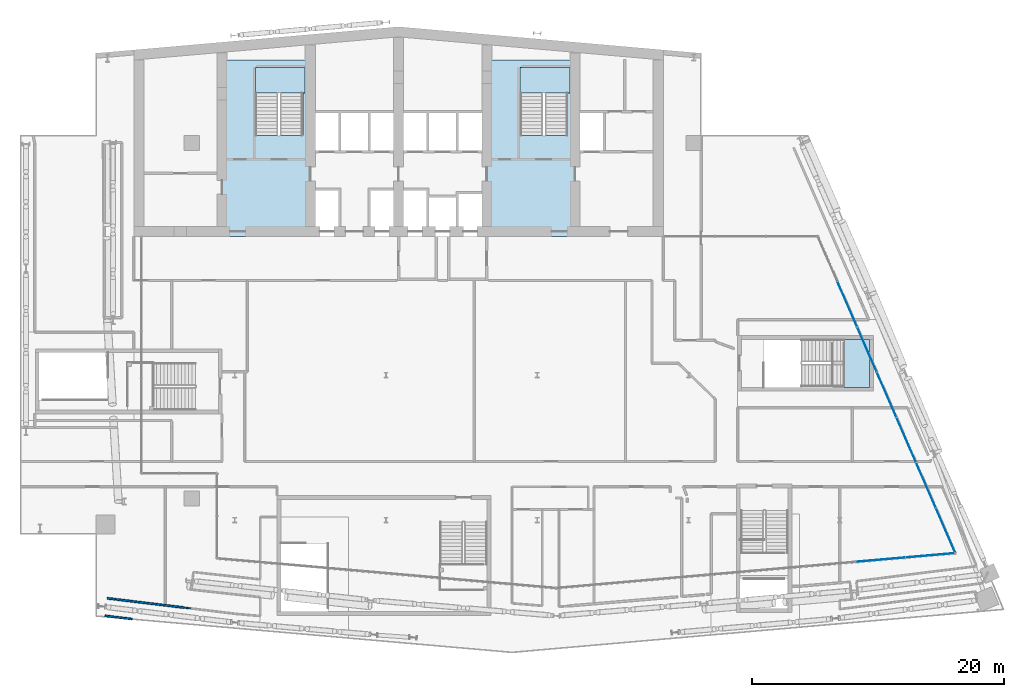
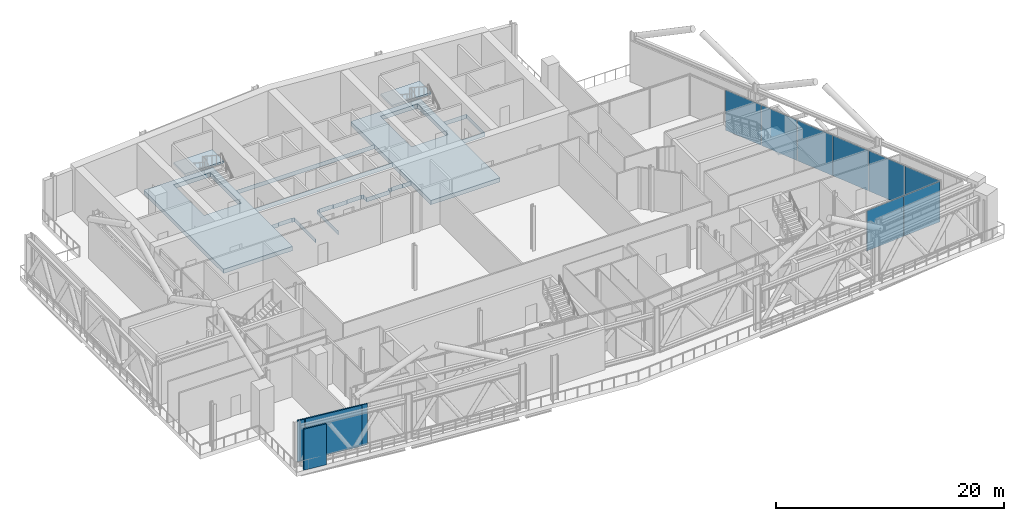
# One storey, part 12 of 35: 8 plates, 4 slabs, 4 walls, 5 elements without a shape of their own.
"""IFC4 building model written with IfcOpenShell, lengths in metres."""

import ifcopenshell
import ifcopenshell.guid

model = None  # the IFC model being written
_history = None  # IfcOwnerHistory: only IFC2X3 demands one
_inside = {}  # id of a spatial element -> (the spatial element, [elements in it])
_under = {}  # id of a project, library or spatial element -> (it, [spatial elements below it])
_declared = {}  # id of a project -> (the project, [libraries it declares])
_typed = {}  # id of a type object -> (the type object, [elements of that type])
_made_of = {}  # id of a material, layer set ... -> (it, [elements and type objects made of it])


def new_model(schema):
    """Start an empty IFC model of exactly this schema.

    Asked for "IFC4X3", IfcOpenShell would pick the latest addendum, in which some entities
    have other attributes; the version numbers below select the first issue.
    IFC2X3 requires an IfcOwnerHistory on every rooted entity: one is made here for all.
    """
    global model, _history
    if schema == "IFC4X3":
        model = ifcopenshell.file(schema_version=(4, 3, 0, 0))
    else:
        model = ifcopenshell.file(schema=schema)
    _inside.clear()
    _under.clear()
    _declared.clear()
    _typed.clear()
    _made_of.clear()
    _history = None
    if model.schema == "IFC2X3":
        org = make("IfcOrganization", Name="unknown")
        user = make(
            "IfcPersonAndOrganization",
            ThePerson=make("IfcPerson", FamilyName="unknown"),
            TheOrganization=org,
        )
        app = make(
            "IfcApplication",
            ApplicationDeveloper=org,
            Version="unknown",
            ApplicationFullName="unknown",
            ApplicationIdentifier="unknown",
        )
        _history = make(
            "IfcOwnerHistory",
            OwningUser=user,
            OwningApplication=app,
            ChangeAction="ADDED",
            CreationDate=0,
        )
    return model


def make(cls, **values):
    """One entity of the class cls with the attributes given. An attribute that is None is left unset."""
    return model.create_entity(
        cls, **{name: value for name, value in values.items() if value is not None}
    )


def rooted(cls, **values):
    """An entity with a GlobalId (a new one), such as an element, a storey or a relation."""
    return make(cls, GlobalId=ifcopenshell.guid.new(), OwnerHistory=_history, **values)


def si_unit(unit_type, name, prefix=None):
    """IfcSIUnit, for example si_unit("LENGTHUNIT", "METRE", prefix="MILLI")."""
    return make("IfcSIUnit", UnitType=unit_type, Prefix=prefix, Name=name)


def assignment(units):
    """IfcUnitAssignment: the units of a project."""
    return None if units is None else make("IfcUnitAssignment", Units=units)


def point(xyz):
    """IfcCartesianPoint."""
    return None if xyz is None else make("IfcCartesianPoint", Coordinates=xyz)


def direction(xyz):
    """IfcDirection."""
    return None if xyz is None else make("IfcDirection", DirectionRatios=xyz)


def frame(location, z_axis=None, x_axis=None):
    """IfcAxis2Placement3D, a coordinate frame: its origin and axes. An axis left out is left unset."""
    return make(
        "IfcAxis2Placement3D",
        Location=point(location),
        Axis=direction(z_axis),
        RefDirection=direction(x_axis),
    )


def frame_2d(location, x_axis=None):
    """IfcAxis2Placement2D, a coordinate frame in the plane: its origin and x axis."""
    return make(
        "IfcAxis2Placement2D", Location=point(location), RefDirection=direction(x_axis)
    )


def origin():
    """The frame at (0, 0, 0) with its axes left unset."""
    return frame((0.0, 0.0, 0.0))


def origin_2d():
    """The frame at (0, 0) in the plane with its x axis left unset."""
    return frame_2d((0.0, 0.0))


def place(relative_to, where):
    """IfcLocalPlacement: puts the frame where relative to a parent placement (None: the world)."""
    return make(
        "IfcLocalPlacement", PlacementRelTo=relative_to, RelativePlacement=where
    )


def context(
    kind, dimensions, precision=None, world=None, true_north=None, identifier=None
):
    """IfcGeometricRepresentationContext, for example the 3D "Model" context."""
    return make(
        "IfcGeometricRepresentationContext",
        ContextIdentifier=identifier,
        ContextType=kind,
        CoordinateSpaceDimension=dimensions,
        Precision=precision,
        WorldCoordinateSystem=world,
        TrueNorth=true_north,
    )


def subcontext(parent, identifier, kind, view, scale=None):
    """IfcGeometricRepresentationSubContext, for example "Body" below "Model"."""
    return make(
        "IfcGeometricRepresentationSubContext",
        ContextIdentifier=identifier,
        ContextType=kind,
        ParentContext=parent,
        TargetScale=scale,
        TargetView=view,
    )


def project(units=None, contexts=None):
    """IfcProject with its units and contexts."""
    return rooted(
        "IfcProject",
        Name="project",
        RepresentationContexts=contexts,
        UnitsInContext=assignment(units),
    )


def spatial(cls, under=None, at=None, **own):
    """A site, building, storey or space (cls), placed at a placement, below another one or the project."""
    s = rooted(cls, ObjectPlacement=at, **own)
    if under is not None:
        _under.setdefault(under.id(), (under, []))[1].append(s)
    return s


def polyline(points):
    """IfcPolyline through the points."""
    return make("IfcPolyline", Points=[point(p) for p in points])


def profile(cls, at=None, kind="AREA", **sizes):
    """A parametric profile (cls). Its sizes go by their IFC names, for example OverallWidth=200.0."""
    return make(cls, ProfileType=kind, Position=at, **sizes)


def rectangle(**sizes):
    """IfcRectangleProfileDef."""
    return profile("IfcRectangleProfileDef", **sizes)


def outline(outer, holes=None, kind="AREA"):
    """IfcArbitraryClosedProfileDef: a profile drawn as a closed curve; with holes, ...WithVoids."""
    if holes is None:
        return make("IfcArbitraryClosedProfileDef", ProfileType=kind, OuterCurve=outer)
    return make(
        "IfcArbitraryProfileDefWithVoids",
        ProfileType=kind,
        OuterCurve=outer,
        InnerCurves=holes,
    )


def extrude(swept, where, along, depth):
    """IfcExtrudedAreaSolid: the profile swept, set in the frame where, extruded along a direction by depth."""
    return make(
        "IfcExtrudedAreaSolid",
        SweptArea=swept,
        Position=where,
        ExtrudedDirection=direction(along),
        Depth=depth,
    )


def shape(context_of_items, identifier, shape_type, items):
    """IfcShapeRepresentation: the items that make up one representation, for example the "Body"."""
    return make(
        "IfcShapeRepresentation",
        ContextOfItems=context_of_items,
        RepresentationIdentifier=identifier,
        RepresentationType=shape_type,
        Items=items,
    )


def material(Name=None, Category=None):
    """IfcMaterial."""
    return make("IfcMaterial", Name=Name, Category=Category)


def layer(
    of_material, thickness, ventilated=None, Name=None, Category=None, Priority=None
):
    """IfcMaterialLayer: one layer of a wall or slab, of a material (None: an air gap)."""
    return make(
        "IfcMaterialLayer",
        Material=of_material,
        LayerThickness=thickness,
        IsVentilated=ventilated,
        Name=Name,
        Category=Category,
        Priority=Priority,
    )


def layer_set(layers, Name=None):
    """IfcMaterialLayerSet."""
    return make("IfcMaterialLayerSet", MaterialLayers=layers, LayerSetName=Name)


def made_of(thing, what):
    """Note that an element or type object is made of a material, layer set ...; save() writes the relation."""
    if what is not None:
        _made_of.setdefault(what.id(), (what, []))[1].append(thing)
    return thing


def type_object(cls, material=None, **own):
    """A type object (cls), such as IfcWallType, which elements share."""
    return made_of(rooted(cls, **own), material)


def element(
    cls,
    number,
    at=None,
    inside=None,
    cuts=None,
    type_object=None,
    material=None,
    context=None,
    identifier="Body",
    shape_type=None,
    held_by="IfcProductDefinitionShape",
    body=None,
    shapes=None,
    **own,
):
    """One element of the class cls, such as IfcWall. Its Tag is "e" and its number.

    at: its placement. inside: the storey or other place that contains it. cuts: it is an
    opening in that element (IfcRelVoidsElement). A single representation is given by context,
    identifier, shape_type and body (its items); several are given by shapes. held_by: the class
    of the entity that holds the representations. save() writes the other relations.
    """
    e = rooted(cls, Tag="e%d" % number, ObjectPlacement=at, **own)
    if body is not None:
        shapes = [shape(context, identifier, shape_type, body)]
    if shapes is not None:
        e.Representation = make(held_by, Representations=shapes)
    if inside is not None:
        _inside.setdefault(inside.id(), (inside, []))[1].append(e)
    if cuts is not None:
        rooted(
            "IfcRelVoidsElement", RelatingBuildingElement=cuts, RelatedOpeningElement=e
        )
    if type_object is not None:
        _typed.setdefault(type_object.id(), (type_object, []))[1].append(e)
    return made_of(e, material)


def aggregate(whole, parts):
    """IfcRelAggregates: a whole, such as a stair, and the parts it consists of."""
    return rooted("IfcRelAggregates", RelatingObject=whole, RelatedObjects=parts)


def save(model, path):
    """Write the relations noted so far, then the file.

    IfcRelAggregates (storeys below a building ...), IfcRelContainedInSpatialStructure (elements
    in a storey), IfcRelDefinesByType, IfcRelAssociatesMaterial and IfcRelDeclares: one each for
    every whole, place, type object, material and project.
    """
    for whole, parts in _under.values():
        aggregate(whole, parts)
    for where, things in _inside.values():
        rooted(
            "IfcRelContainedInSpatialStructure",
            RelatedElements=things,
            RelatingStructure=where,
        )
    for kind, things in _typed.values():
        rooted("IfcRelDefinesByType", RelatedObjects=things, RelatingType=kind)
    for what, things in _made_of.values():
        rooted("IfcRelAssociatesMaterial", RelatedObjects=things, RelatingMaterial=what)
    for by, libraries in _declared.values():
        rooted("IfcRelDeclares", RelatingContext=by, RelatedDefinitions=libraries)
    model.write(path)


model = new_model("IFC4")

# Units and contexts
model_context = context("Model", 3, precision=1e-05, world=origin(), true_north=direction((0.0, 1.0)))
body_context = subcontext(model_context, "Body", "Model", "MODEL_VIEW")
ifc_project = project(units=[si_unit("LENGTHUNIT", "METRE"), si_unit("AREAUNIT", "SQUARE_METRE"), si_unit("VOLUMEUNIT", "CUBIC_METRE"), si_unit("PLANEANGLEUNIT", "RADIAN"), si_unit("MASSUNIT", "GRAM", prefix="KILO")], contexts=[model_context])

# Site, building, storey
site_placement = place(None, origin())
site = spatial("IfcSite", under=ifc_project, at=site_placement, CompositionType="ELEMENT")
building_placement = place(site_placement, origin())
building = spatial("IfcBuilding", under=site, at=building_placement, Name="Wharfspan Tower", CompositionType="ELEMENT")
storey_placement = place(building_placement, frame((0.0, 0.0, 202.300049)))
storey = spatial("IfcBuildingStorey", under=building, at=storey_placement, Name="L50", CompositionType="ELEMENT", Elevation=202.300049)

# Curtain wall, plates
ifc_material_1 = material(Name="Aluminium 6063-T6", Category="aluminium")
curtain_wall_type = type_object("IfcCurtainWallType", Name="CURTAIN WALL BAND RECESS", PredefinedType="NOTDEFINED", material=ifc_material_1)
curtain_wall_1_placement = place(storey_placement, origin())
curtain_wall_1 = element("IfcCurtainWall", 1, at=curtain_wall_1_placement, inside=storey, type_object=curtain_wall_type, Name="Recess glazing R4", PredefinedType="NOTDEFINED")
ifc_material_2 = material(Name="Glass clear low-iron double glazing", Category="glass")
ifc_layer_1 = layer(ifc_material_2, 0.035889)
ifc_layer_set_1 = layer_set([ifc_layer_1], Name="Glass clear low-iron double glazing")
plate_type = type_object("IfcPlateType", Name="GLASS PANEL BAND RECESS 36", PredefinedType="CURTAIN_PANEL", material=ifc_layer_set_1)
plate_1_placement = place(storey_placement, frame((72.592529, 28.616211, 0.0), z_axis=(0.0, 0.0, 1.0), x_axis=(0.398727, -0.917072, 0.0)))
plate_1 = element("IfcPlate", 2, at=plate_1_placement, type_object=plate_type, Name="Recess glazing R4 panel 2", PredefinedType="CURTAIN_PANEL", context=body_context, shape_type="SweptSolid", body=[
    extrude(rectangle(XDim=3.85376, YDim=0.035889, at=origin_2d()), origin(), (0.0, 0.0, 1.0), 4.330078),
])
plate_2_placement = place(storey_placement, frame((74.153076, 25.026855, 0.0), z_axis=(0.0, 0.0, 1.0), x_axis=(0.398727, -0.917072, 0.0)))
plate_2 = element("IfcPlate", 3, at=plate_2_placement, type_object=plate_type, Name="Recess glazing R4 panel 3", PredefinedType="CURTAIN_PANEL", context=body_context, shape_type="SweptSolid", body=[
    extrude(rectangle(XDim=3.85376, YDim=0.035889, at=origin_2d()), origin(), (0.0, 0.0, 1.0), 4.330078),
])
plate_3_placement = place(storey_placement, frame((75.713623, 21.437744, 0.0), z_axis=(0.0, 0.0, 1.0), x_axis=(0.398727, -0.917072, 0.0)))
plate_3 = element("IfcPlate", 4, at=plate_3_placement, type_object=plate_type, Name="Recess glazing R4 panel 4", PredefinedType="CURTAIN_PANEL", context=body_context, shape_type="SweptSolid", body=[
    extrude(rectangle(XDim=3.85376, YDim=0.035889, at=origin_2d()), origin(), (0.0, 0.0, 1.0), 4.330078),
])
plate_4_placement = place(storey_placement, frame((77.27417, 17.848389, 0.0), z_axis=(0.0, 0.0, 1.0), x_axis=(0.398727, -0.917072, 0.0)))
plate_4 = element("IfcPlate", 5, at=plate_4_placement, type_object=plate_type, Name="Recess glazing R4 panel 5", PredefinedType="CURTAIN_PANEL", context=body_context, shape_type="SweptSolid", body=[
    extrude(rectangle(XDim=3.85376, YDim=0.035889, at=origin_2d()), origin(), (0.0, 0.0, 1.0), 4.330078),
])
plate_5_placement = place(storey_placement, frame((78.834717, 14.259277, 0.0), z_axis=(0.0, 0.0, 1.0), x_axis=(0.398727, -0.917072, 0.0)))
plate_5 = element("IfcPlate", 6, at=plate_5_placement, type_object=plate_type, Name="Recess glazing R4 panel 6", PredefinedType="CURTAIN_PANEL", context=body_context, shape_type="SweptSolid", body=[
    extrude(rectangle(XDim=3.85376, YDim=0.035889, at=origin_2d()), origin(), (0.0, 0.0, 1.0), 4.330078),
])
plate_6_placement = place(storey_placement, frame((80.389404, 10.683594, 0.0), z_axis=(0.0, 0.0, 1.0), x_axis=(0.398727, -0.917072, 0.0)))
plate_6 = element("IfcPlate", 7, at=plate_6_placement, type_object=plate_type, Name="Recess glazing R4 panel 7", PredefinedType="CURTAIN_PANEL", context=body_context, shape_type="SweptSolid", body=[
    extrude(rectangle(XDim=3.82373, YDim=0.035889, at=origin_2d()), origin(), (0.0, 0.0, 1.0), 4.330078),
])
aggregate(curtain_wall_1, [plate_1, plate_2, plate_3, plate_4, plate_5, plate_6])

curtain_wall_2_placement = place(storey_placement, origin())
curtain_wall_2 = element("IfcCurtainWall", 8, at=curtain_wall_2_placement, inside=storey, type_object=curtain_wall_type, Name="Recess glazing R5", PredefinedType="NOTDEFINED")
plate_7_placement = place(storey_placement, frame((79.180908, 8.700928, 0.0), z_axis=(0.0, 0.0, 1.0), x_axis=(-0.996198, -0.087156, 0.0)))
plate_7 = element("IfcPlate", 9, at=plate_7_placement, type_object=plate_type, Name="Recess glazing R5 panel 1", PredefinedType="CURTAIN_PANEL", context=body_context, shape_type="SweptSolid", body=[
    extrude(rectangle(XDim=3.884521, YDim=0.035889, at=origin_2d()), origin(), (0.0, 0.0, 1.0), 4.330078),
])
plate_8_placement = place(storey_placement, frame((75.236328, 8.355713, 0.0), z_axis=(0.0, 0.0, 1.0), x_axis=(-0.996198, -0.087156, 0.0)))
plate_8 = element("IfcPlate", 10, at=plate_8_placement, type_object=plate_type, Name="Recess glazing R5 panel 2", PredefinedType="CURTAIN_PANEL", context=body_context, shape_type="SweptSolid", body=[
    extrude(rectangle(XDim=3.914551, YDim=0.035889, at=origin_2d()), origin(), (0.0, 0.0, 1.0), 4.330078),
])
aggregate(curtain_wall_2, [plate_7, plate_8])

# Slab
ifc_material_3 = material(Name="Concrete C40/50", Category="concrete")
ifc_layer_2 = layer(ifc_material_3, 0.449951)
ifc_layer_set_2 = layer_set([ifc_layer_2], Name="Concrete C40/50")
slab_type_1 = type_object("IfcSlabType", Name="Post-tensioned flat slab 450", PredefinedType="FLOOR", material=ifc_layer_set_2)
slab_1_placement = place(storey_placement, frame((0.0, 0.0, -0.450195)))
element("IfcSlab", 11, at=slab_1_placement, inside=storey, type_object=slab_type_1, Name="Core floor slab L50 part 3", PredefinedType="FLOOR", context=body_context, shape_type="SweptSolid", body=[
    extrude(outline(polyline([(23.0, 34.0), (29.998047, 34.0), (29.998047, 37.75), (29.998047, 37.750244), (29.998047, 37.750488), (29.998047, 37.750488), (29.998291, 37.750732), (29.998291, 37.750977), (29.998291, 37.751221), (29.998535, 37.751221), (29.998535, 37.751465), (29.998779, 37.751465), (29.998779, 37.751709), (29.999023, 37.751709), (29.999268, 37.751709), (29.999512, 37.751953), (29.999512, 37.751953), (29.999756, 37.751953), (30.0, 37.751953), (30.7146, 37.751953), (30.7146, 37.800049), (30.7146, 37.800293), (30.7146, 37.800293), (30.714844, 37.800537), (30.714844, 37.800781), (30.714844, 37.800781), (30.715088, 37.801025), (30.715088, 37.80127), (30.715332, 37.801514), (30.715332, 37.801514), (30.715576, 37.801758), (30.71582, 37.801758), (30.71582, 37.801758), (30.716064, 37.802002), (30.716309, 37.802002), (30.716553, 37.802002), (30.716797, 37.802002), (32.116699, 37.802002), (32.116943, 37.802002), (32.117188, 37.802002), (32.117188, 37.802002), (32.117432, 37.801758), (32.117676, 37.801758), (32.11792, 37.801758), (32.11792, 37.801514), (32.118164, 37.801514), (32.118164, 37.80127), (32.118408, 37.801025), (32.118408, 37.800781), (32.118408, 37.800781), (32.118652, 37.800537), (32.118652, 37.800293), (32.118652, 37.800293), (32.118652, 37.800049), (32.118652, 37.751953), (32.333252, 37.751953), (32.333496, 37.751953), (32.33374, 37.751953), (32.333984, 37.751953), (32.333984, 37.751709), (32.334229, 37.751709), (32.334473, 37.751709), (32.334717, 37.751465), (32.334717, 37.751465), (32.334961, 37.751221), (32.334961, 37.751221), (32.335205, 37.750977), (32.335205, 37.750732), (32.335205, 37.750488), (32.335205, 37.750488), (32.335205, 37.750244), (32.335205, 37.75), (32.335205, 34.0), (32.341309, 34.0), (32.341309, 37.758057), (32.126709, 37.758057), (32.126465, 37.758057), (32.126221, 37.758057), (32.126221, 37.758057), (32.125977, 37.758301), (32.125732, 37.758301), (32.125488, 37.758301), (32.125488, 37.758545), (32.125244, 37.758545), (32.125244, 37.758789), (32.125, 37.758789), (32.125, 37.759033), (32.125, 37.759277), (32.124756, 37.759521), (32.124756, 37.759521), (32.124756, 37.759766), (32.124756, 37.76001), (32.124756, 37.808105), (30.70874, 37.808105), (30.70874, 37.76001), (30.70874, 37.759766), (30.70874, 37.759521), (30.708496, 37.759521), (30.708496, 37.759277), (30.708496, 37.759033), (30.708496, 37.758789), (30.708252, 37.758789), (30.708008, 37.758545), (30.708008, 37.758545), (30.707764, 37.758301), (30.70752, 37.758301), (30.70752, 37.758301), (30.707275, 37.758057), (30.707031, 37.758057), (30.706787, 37.758057), (30.706787, 37.758057), (30.01001, 37.758057), (30.009766, 37.758057), (30.009521, 37.758057), (30.009521, 37.758057), (30.009277, 37.758301), (30.009033, 37.758301), (30.008789, 37.758301), (30.008789, 37.758545), (30.008545, 37.758545), (30.008545, 37.758789), (30.008301, 37.758789), (30.008301, 37.759033), (30.008301, 37.759277), (30.008057, 37.759521), (30.008057, 37.759521), (30.008057, 37.759766), (30.008057, 37.76001), (30.008057, 40.689941), (30.008057, 40.690186), (30.008057, 40.69043), (30.008057, 40.690674), (30.008301, 40.690918), (30.008301, 40.690918), (30.008301, 40.691162), (30.008545, 40.691406), (30.008545, 40.691406), (30.008789, 40.691406), (30.008789, 40.69165), (30.009033, 40.691895), (30.009277, 40.691895), (30.009521, 40.691895), (30.009521, 40.691895), (30.009766, 40.691895), (30.01001, 40.691895), (43.98999, 40.691895), (43.990234, 40.691895), (43.990479, 40.691895), (43.990479, 40.691895), (43.990723, 40.691895), (43.990967, 40.691895), (43.991211, 40.69165), (43.991211, 40.691406), (43.991455, 40.691406), (43.991455, 40.691406), (43.991699, 40.691162), (43.991699, 40.690918), (43.991699, 40.690918), (43.991943, 40.690674), (43.991943, 40.69043), (43.991943, 40.690186), (43.991943, 40.689941), (43.991943, 37.459961), (43.991943, 37.459717), (43.991943, 37.459717), (43.991943, 37.459473), (43.991699, 37.459229), (43.991699, 37.458984), (43.991699, 37.458984), (43.991455, 37.45874), (43.991455, 37.458496), (43.991211, 37.458496), (43.991211, 37.458252), (43.990967, 37.458252), (43.990723, 37.458252), (43.990479, 37.458008), (43.990479, 37.458008), (43.990234, 37.458008), (43.98999, 37.458008), (43.143311, 37.458008), (43.143066, 37.458008), (43.142822, 37.458008), (43.142578, 37.458008), (43.142578, 37.458252), (43.142334, 37.458252), (43.14209, 37.458252), (43.14209, 37.458496), (43.141846, 37.458496), (43.141846, 37.45874), (43.141602, 37.458984), (43.141602, 37.458984), (43.141602, 37.459229), (43.141357, 37.459473), (43.141357, 37.459717), (43.141357, 37.459717), (43.141357, 37.459961), (43.141357, 37.508057), (42.025391, 37.508057), (42.025391, 37.459961), (42.025391, 37.459717), (42.025391, 37.459717), (42.025146, 37.459473), (42.025146, 37.459229), (42.025146, 37.458984), (42.024902, 37.458984), (42.024902, 37.45874), (42.024658, 37.458496), (42.024658, 37.458496), (42.024414, 37.458252), (42.02417, 37.458252), (42.02417, 37.458252), (42.023926, 37.458008), (42.023682, 37.458008), (42.023438, 37.458008), (42.023193, 37.458008), (41.658691, 37.458008), (41.658691, 37.209961), (41.658691, 37.209717), (41.658691, 37.209717), (41.658691, 37.209473), (41.658447, 37.209229), (41.658447, 37.208984), (41.658447, 37.208984), (41.658203, 37.20874), (41.658203, 37.208496), (41.657959, 37.208496), (41.657715, 37.208252), (41.657715, 37.208252), (41.657471, 37.208252), (41.657227, 37.208008), (41.656982, 37.208008), (41.656982, 37.208008), (41.656738, 37.208008), (39.343262, 37.208008), (39.343018, 37.208008), (39.343018, 37.208008), (39.342773, 37.208008), (39.342529, 37.208252), (39.342285, 37.208252), (39.342285, 37.208252), (39.342041, 37.208496), (39.341797, 37.208496), (39.341797, 37.20874), (39.341553, 37.208984), (39.341553, 37.208984), (39.341553, 37.209229), (39.341309, 37.209473), (39.341309, 37.209717), (39.341309, 37.209717), (39.341309, 37.209961), (39.341309, 37.758057), (39.166748, 37.758057), (39.166504, 37.758057), (39.16626, 37.758057), (39.166016, 37.758057), (39.166016, 37.758301), (39.165771, 37.758301), (39.165527, 37.758301), (39.165283, 37.758545), (39.165283, 37.758545), (39.165283, 37.758789), (39.165039, 37.758789), (39.164795, 37.759033), (39.164795, 37.759277), (39.164795, 37.759521), (39.164795, 37.759521), (39.164795, 37.759766), (39.164795, 37.76001), (39.164795, 37.808105), (37.668701, 37.808105), (37.668701, 37.76001), (37.668701, 37.759766), (37.668701, 37.759521), (37.668701, 37.759521), (37.668457, 37.759277), (37.668457, 37.759033), (37.668457, 37.758789), (37.668213, 37.758789), (37.668213, 37.758545), (37.667969, 37.758545), (37.667725, 37.758301), (37.66748, 37.758301), (37.66748, 37.758301), (37.667236, 37.758057), (37.666992, 37.758057), (37.666992, 37.758057), (37.666748, 37.758057), (36.293213, 37.758057), (36.293213, 37.758057), (36.292969, 37.758057), (36.292725, 37.758057), (36.29248, 37.758301), (36.29248, 37.758301), (36.292236, 37.758301), (36.291992, 37.758545), (36.291992, 37.758545), (36.291748, 37.758789), (36.291504, 37.758789), (36.291504, 37.759033), (36.291504, 37.759277), (36.291504, 37.759521), (36.29126, 37.759521), (36.29126, 37.759766), (36.29126, 37.76001), (36.29126, 37.808105), (34.875244, 37.808105), (34.875244, 37.76001), (34.875244, 37.759766), (34.875244, 37.759521), (34.875244, 37.759521), (34.875, 37.759277), (34.875, 37.759033), (34.875, 37.758789), (34.874756, 37.758789), (34.874756, 37.758545), (34.874512, 37.758545), (34.874512, 37.758301), (34.874268, 37.758301), (34.874023, 37.758301), (34.873779, 37.758057), (34.873779, 37.758057), (34.873535, 37.758057), (34.873291, 37.758057), (34.658691, 37.758057), (34.658691, 34.0), (34.664795, 34.0), (34.664795, 37.75), (34.664795, 37.750244), (34.664795, 37.750488), (34.664795, 37.750488), (34.664795, 37.750732), (34.664795, 37.750977), (34.665039, 37.751221), (34.665039, 37.751221), (34.665283, 37.751465), (34.665283, 37.751465), (34.665527, 37.751709), (34.665771, 37.751709), (34.666016, 37.751709), (34.666016, 37.751953), (34.66626, 37.751953), (34.666504, 37.751953), (34.666748, 37.751953), (34.881348, 37.751953), (34.881348, 37.800049), (34.881348, 37.800293), (34.881348, 37.800293), (34.881348, 37.800537), (34.881592, 37.800781), (34.881592, 37.800781), (34.881592, 37.801025), (34.881836, 37.80127), (34.881836, 37.801514), (34.88208, 37.801514), (34.88208, 37.801758), (34.882324, 37.801758), (34.882568, 37.801758), (34.882812, 37.802002), (34.882812, 37.802002), (34.883057, 37.802002), (34.883301, 37.802002), (36.283203, 37.802002), (36.283447, 37.802002), (36.283691, 37.802002), (36.283936, 37.802002), (36.28418, 37.801758), (36.28418, 37.801758), (36.284424, 37.801758), (36.284668, 37.801514), (36.284668, 37.801514), (36.284912, 37.80127), (36.284912, 37.801025), (36.285156, 37.800781), (36.285156, 37.800781), (36.285156, 37.800537), (36.2854, 37.800293), (36.2854, 37.800293), (36.2854, 37.800049), (36.2854, 37.751953), (37.674805, 37.751953), (37.674805, 37.800049), (37.674805, 37.800293), (37.674805, 37.800293), (37.674805, 37.800537), (37.674805, 37.800781), (37.674805, 37.800781), (37.675049, 37.801025), (37.675049, 37.80127), (37.675293, 37.801514), (37.675293, 37.801514), (37.675537, 37.801758), (37.675781, 37.801758), (37.675781, 37.801758), (37.676025, 37.802002), (37.67627, 37.802002), (37.676514, 37.802002), (37.676758, 37.802002), (39.156738, 37.802002), (39.156982, 37.802002), (39.156982, 37.802002), (39.157227, 37.802002), (39.157471, 37.801758), (39.157715, 37.801758), (39.157715, 37.801758), (39.157959, 37.801514), (39.158203, 37.801514), (39.158203, 37.80127), (39.158203, 37.801025), (39.158447, 37.800781), (39.158447, 37.800781), (39.158691, 37.800537), (39.158691, 37.800293), (39.158691, 37.800293), (39.158691, 37.800049), (39.158691, 37.751953), (39.333252, 37.751953), (39.333496, 37.751953), (39.33374, 37.751953), (39.333984, 37.751953), (39.333984, 37.751709), (39.334229, 37.751709), (39.334473, 37.751709), (39.334717, 37.751465), (39.334717, 37.751465), (39.334961, 37.751221), (39.334961, 37.751221), (39.335205, 37.750977), (39.335205, 37.750732), (39.335205, 37.750488), (39.335205, 37.750488), (39.335205, 37.750244), (39.335205, 37.75), (39.335205, 37.201904), (41.664795, 37.201904), (41.664795, 37.449951), (41.664795, 37.450195), (41.664795, 37.450439), (41.664795, 37.450684), (41.664795, 37.450684), (41.664795, 37.450928), (41.665039, 37.451172), (41.665039, 37.451416), (41.665283, 37.451416), (41.665283, 37.451416), (41.665527, 37.45166), (41.665771, 37.451904), (41.666016, 37.451904), (41.666016, 37.451904), (41.66626, 37.451904), (41.666504, 37.451904), (41.666748, 37.451904), (42.03125, 37.451904), (42.03125, 37.5), (42.03125, 37.500244), (42.031494, 37.500488), (42.031494, 37.500488), (42.031494, 37.500732), (42.031494, 37.500977), (42.031738, 37.501221), (42.031738, 37.501221), (42.031982, 37.501465), (42.031982, 37.501465), (42.032227, 37.501709), (42.032471, 37.501709), (42.032715, 37.501709), (42.032715, 37.501953), (42.032959, 37.501953), (42.033203, 37.501953), (42.033203, 37.501953), (43.133301, 37.501953), (43.133545, 37.501953), (43.133789, 37.501953), (43.133789, 37.501953), (43.134033, 37.501709), (43.134277, 37.501709), (43.134521, 37.501709), (43.134521, 37.501465), (43.134766, 37.501465), (43.13501, 37.501221), (43.13501, 37.501221), (43.13501, 37.500977), (43.135254, 37.500732), (43.135254, 37.500488), (43.135254, 37.500488), (43.135254, 37.500244), (43.135254, 37.5), (43.135254, 37.451904), (44.0, 37.451904), (44.000244, 37.451904), (44.000488, 37.451904), (44.000488, 37.451904), (44.000732, 37.451904), (44.000977, 37.451904), (44.001221, 37.45166), (44.001221, 37.451416), (44.001465, 37.451416), (44.001465, 37.451416), (44.001709, 37.451172), (44.001709, 37.450928), (44.001709, 37.450684), (44.001953, 37.450684), (44.001953, 37.450439), (44.001953, 37.450195), (44.001953, 37.449951), (44.001953, 34.0), (51.0, 34.0), (51.008057, 34.0), (51.008057, 40.689941), (51.008057, 40.690186), (51.008057, 40.69043), (51.008057, 40.690674), (51.008301, 40.690918), (51.008301, 40.690918), (51.008301, 40.691162), (51.008545, 40.691406), (51.008545, 40.691406), (51.008789, 40.691406), (51.008789, 40.69165), (51.009033, 40.691895), (51.009277, 40.691895), (51.009521, 40.691895), (51.009521, 40.691895), (51.009766, 40.691895), (51.01001, 40.691895), (53.341309, 40.691895), (53.341309, 43.907959), (51.01001, 43.907959), (51.009766, 43.907959), (51.009521, 43.907959), (51.009521, 43.908203), (51.009277, 43.908203), (51.009033, 43.908203), (51.008789, 43.908203), (51.008789, 43.908447), (51.008545, 43.908691), (51.008545, 43.908691), (51.008301, 43.908936), (51.008301, 43.90918), (51.008301, 43.90918), (51.008057, 43.909424), (51.008057, 43.909668), (51.008057, 43.909912), (51.008057, 43.909912), (51.008057, 48.008057), (43.991943, 48.008057), (43.991943, 43.909912), (43.991943, 43.909912), (43.991943, 43.909668), (43.991943, 43.909424), (43.991699, 43.90918), (43.991699, 43.90918), (43.991699, 43.908936), (43.991455, 43.908691), (43.991455, 43.908691), (43.991211, 43.908447), (43.991211, 43.908203), (43.990967, 43.908203), (43.990723, 43.908203), (43.990479, 43.908203), (43.990479, 43.907959), (43.990234, 43.907959), (43.98999, 43.907959), (30.01001, 43.907959), (30.009766, 43.907959), (30.009521, 43.907959), (30.009521, 43.908203), (30.009277, 43.908203), (30.009033, 43.908203), (30.008789, 43.908203), (30.008789, 43.908447), (30.008545, 43.908691), (30.008545, 43.908691), (30.008301, 43.908936), (30.008301, 43.90918), (30.008301, 43.90918), (30.008057, 43.909424), (30.008057, 43.909668), (30.008057, 43.909912), (30.008057, 43.909912), (30.008057, 48.008057), (22.991943, 48.008057), (22.991943, 34.0), (23.0, 34.0)]), holes=[polyline([(53.333252, 43.9021), (53.333496, 43.9021), (53.33374, 43.9021), (53.333984, 43.901855), (53.333984, 43.901855), (53.334229, 43.901855), (53.334473, 43.901611), (53.334717, 43.901611), (53.334717, 43.901367), (53.334961, 43.901367), (53.334961, 43.901123), (53.335205, 43.900879), (53.335205, 43.900879), (53.335205, 43.900635), (53.335205, 43.900391), (53.335205, 43.900146), (53.335205, 43.899902), (53.335205, 40.699951), (53.335205, 40.699707), (53.335205, 40.699707), (53.335205, 40.699463), (53.335205, 40.699219), (53.335205, 40.699219), (53.334961, 40.698975), (53.334961, 40.69873), (53.334717, 40.698486), (53.334717, 40.698486), (53.334473, 40.698242), (53.334229, 40.698242), (53.333984, 40.698242), (53.333984, 40.697998), (53.33374, 40.697998), (53.333496, 40.697998), (53.333252, 40.697998), (51.0, 40.697998), (50.999756, 40.697998), (50.999512, 40.697998), (50.999512, 40.697998), (50.999268, 40.698242), (50.999023, 40.698242), (50.998779, 40.698242), (50.998779, 40.698486), (50.998535, 40.698486), (50.998535, 40.69873), (50.998291, 40.698975), (50.998291, 40.699219), (50.998291, 40.699219), (50.998047, 40.699463), (50.998047, 40.699707), (50.998047, 40.699707), (50.998047, 40.699951), (50.998047, 43.899902), (50.998047, 43.900146), (50.998047, 43.900391), (50.998047, 43.900635), (50.998291, 43.900879), (50.998291, 43.900879), (50.998291, 43.901123), (50.998535, 43.901367), (50.998535, 43.901367), (50.998779, 43.901611), (50.998779, 43.901611), (50.999023, 43.901855), (50.999268, 43.901855), (50.999512, 43.901855), (50.999512, 43.9021), (50.999756, 43.9021), (51.0, 43.9021), (53.333252, 43.9021)]), polyline([(46.649902, 41.998047), (46.649902, 41.998047), (46.649658, 41.998047), (46.649414, 41.998047), (46.64917, 41.998291), (46.64917, 41.998291), (46.648926, 41.998291), (46.648682, 41.998535), (46.648682, 41.998535), (46.648438, 41.998779), (46.648193, 41.998779), (46.648193, 41.999023), (46.648193, 41.999268), (46.648193, 41.999512), (46.647949, 41.999512), (46.647949, 41.999756), (46.647949, 42.0), (46.647949, 47.399902), (46.647949, 47.400146), (46.647949, 47.400391), (46.648193, 47.400635), (46.648193, 47.400879), (46.648193, 47.400879), (46.648193, 47.401123), (46.648438, 47.401367), (46.648682, 47.401367), (46.648682, 47.401611), (46.648926, 47.401611), (46.64917, 47.401855), (46.64917, 47.401855), (46.649414, 47.401855), (46.649658, 47.4021), (46.649902, 47.4021), (46.649902, 47.4021), (50.399902, 47.4021), (50.400146, 47.4021), (50.400391, 47.4021), (50.400635, 47.401855), (50.400879, 47.401855), (50.400879, 47.401855), (50.401123, 47.401611), (50.401367, 47.401611), (50.401367, 47.401367), (50.401611, 47.401367), (50.401611, 47.401123), (50.401855, 47.400879), (50.401855, 47.400879), (50.401855, 47.400635), (50.4021, 47.400391), (50.4021, 47.400146), (50.4021, 47.399902), (50.4021, 42.0), (50.4021, 41.999756), (50.4021, 41.999512), (50.401855, 41.999512), (50.401855, 41.999268), (50.401855, 41.999023), (50.401611, 41.998779), (50.401611, 41.998779), (50.401367, 41.998535), (50.401367, 41.998535), (50.401123, 41.998291), (50.400879, 41.998291), (50.400879, 41.998291), (50.400635, 41.998047), (50.400391, 41.998047), (50.400146, 41.998047), (50.399902, 41.998047), (46.649902, 41.998047)]), polyline([(44.0, 43.9021), (44.000244, 43.9021), (44.000488, 43.9021), (44.000488, 43.901855), (44.000732, 43.901855), (44.000977, 43.901855), (44.001221, 43.901611), (44.001221, 43.901611), (44.001465, 43.901367), (44.001465, 43.901367), (44.001709, 43.901123), (44.001709, 43.900879), (44.001709, 43.900879), (44.001953, 43.900635), (44.001953, 43.900391), (44.001953, 43.900146), (44.001953, 43.899902), (44.001953, 40.699951), (44.001953, 40.699707), (44.001953, 40.699707), (44.001953, 40.699463), (44.001709, 40.699219), (44.001709, 40.699219), (44.001709, 40.698975), (44.001465, 40.69873), (44.001465, 40.698486), (44.001221, 40.698486), (44.001221, 40.698242), (44.000977, 40.698242), (44.000732, 40.698242), (44.000488, 40.697998), (44.000488, 40.697998), (44.000244, 40.697998), (44.0, 40.697998), (30.0, 40.697998), (29.999756, 40.697998), (29.999512, 40.697998), (29.999512, 40.697998), (29.999268, 40.698242), (29.999023, 40.698242), (29.998779, 40.698242), (29.998779, 40.698486), (29.998535, 40.698486), (29.998535, 40.69873), (29.998291, 40.698975), (29.998291, 40.699219), (29.998291, 40.699219), (29.998047, 40.699463), (29.998047, 40.699707), (29.998047, 40.699707), (29.998047, 40.699951), (29.998047, 43.899902), (29.998047, 43.900146), (29.998047, 43.900391), (29.998047, 43.900635), (29.998291, 43.900879), (29.998291, 43.900879), (29.998291, 43.901123), (29.998535, 43.901367), (29.998535, 43.901367), (29.998779, 43.901611), (29.998779, 43.901611), (29.999023, 43.901855), (29.999268, 43.901855), (29.999512, 43.901855), (29.999512, 43.9021), (29.999756, 43.9021), (30.0, 43.9021), (44.0, 43.9021)]), polyline([(29.4021, 42.0), (29.4021, 41.999756), (29.4021, 41.999512), (29.401855, 41.999512), (29.401855, 41.999268), (29.401855, 41.999023), (29.401611, 41.998779), (29.401611, 41.998779), (29.401367, 41.998535), (29.401367, 41.998535), (29.401123, 41.998291), (29.400879, 41.998291), (29.400879, 41.998291), (29.400635, 41.998047), (29.400391, 41.998047), (29.400146, 41.998047), (29.399902, 41.998047), (25.649902, 41.998047), (25.649902, 41.998047), (25.649658, 41.998047), (25.649414, 41.998047), (25.64917, 41.998291), (25.64917, 41.998291), (25.648926, 41.998291), (25.648682, 41.998535), (25.648682, 41.998535), (25.648438, 41.998779), (25.648193, 41.998779), (25.648193, 41.999023), (25.648193, 41.999268), (25.648193, 41.999512), (25.647949, 41.999512), (25.647949, 41.999756), (25.647949, 42.0), (25.647949, 47.399902), (25.647949, 47.400146), (25.647949, 47.400391), (25.648193, 47.400635), (25.648193, 47.400879), (25.648193, 47.400879), (25.648193, 47.401123), (25.648438, 47.401367), (25.648682, 47.401367), (25.648682, 47.401611), (25.648926, 47.401611), (25.64917, 47.401855), (25.64917, 47.401855), (25.649414, 47.401855), (25.649658, 47.4021), (25.649902, 47.4021), (25.649902, 47.4021), (29.399902, 47.4021), (29.400146, 47.4021), (29.400391, 47.4021), (29.400635, 47.401855), (29.400879, 47.401855), (29.400879, 47.401855), (29.401123, 47.401611), (29.401367, 47.401611), (29.401367, 47.401367), (29.401611, 47.401367), (29.401611, 47.401123), (29.401855, 47.400879), (29.401855, 47.400879), (29.401855, 47.400635), (29.4021, 47.400391), (29.4021, 47.400146), (29.4021, 47.399902), (29.4021, 42.0)])]), origin(), (0.0, 0.0, 1.0), 0.450195),
])

# Stair, slab
stair_type = type_object("IfcStairType", Name="Half-turn stair 26 risers 185 mm", PredefinedType="HALF_TURN_STAIR", material=ifc_material_3)
stair_1_placement = place(storey_placement, origin())
stair_1 = element("IfcStair", 12, at=stair_1_placement, inside=storey, type_object=stair_type, Name="L50 stair ST1", PredefinedType="HALF_TURN_STAIR")
ifc_layer_3 = layer(ifc_material_3, 0.199951)
ifc_layer_set_3 = layer_set([ifc_layer_3], Name="Concrete C40/50")
slab_type_2 = type_object("IfcSlabType", Name="Stair landing 200", PredefinedType="LANDING", material=ifc_layer_set_3)
slab_2_placement = place(storey_placement, frame((0.0, 0.0, 2.199707)))
slab_2 = element("IfcSlab", 13, at=slab_2_placement, type_object=slab_type_2, Name="ST1 landing 1", PredefinedType="LANDING", context=body_context, shape_type="SweptSolid", body=[
    extrude(outline(polyline([(25.649902, 45.360107), (29.600098, 45.360107), (29.600098, 47.399902), (25.649902, 47.399902), (25.649902, 45.360107)])), origin(), (0.0, 0.0, 1.0), 0.200195),
])
aggregate(stair_1, [slab_2])

stair_2_placement = place(storey_placement, origin())
stair_2 = element("IfcStair", 14, at=stair_2_placement, inside=storey, type_object=stair_type, Name="L50 stair ST2", PredefinedType="HALF_TURN_STAIR")
slab_3_placement = place(storey_placement, frame((0.0, 0.0, 2.199707)))
slab_3 = element("IfcSlab", 15, at=slab_3_placement, type_object=slab_type_2, Name="ST2 landing 1", PredefinedType="LANDING", context=body_context, shape_type="SweptSolid", body=[
    extrude(outline(polyline([(46.649902, 45.360107), (50.600098, 45.360107), (50.600098, 47.399902), (46.649902, 47.399902), (46.649902, 45.360107)])), origin(), (0.0, 0.0, 1.0), 0.200195),
])
aggregate(stair_2, [slab_3])

stair_3_placement = place(storey_placement, origin())
stair_3 = element("IfcStair", 16, at=stair_3_placement, inside=storey, type_object=stair_type, Name="L50 stair ST6", PredefinedType="HALF_TURN_STAIR")
slab_4_placement = place(storey_placement, frame((0.0, 0.0, 2.199707)))
slab_4 = element("IfcSlab", 17, at=slab_4_placement, type_object=slab_type_2, Name="ST6 landing 1", PredefinedType="LANDING", context=body_context, shape_type="SweptSolid", body=[
    extrude(outline(polyline([(72.32959, 22.024902), (74.369629, 22.024902), (74.369629, 25.824951), (72.32959, 25.824951), (72.32959, 22.024902)])), origin(), (0.0, 0.0, 1.0), 0.200195),
])
aggregate(stair_3, [slab_4])

# Walls
ifc_material_4 = material(Name="Gypsum board on steel studs", Category="steel")
ifc_layer_4 = layer(ifc_material_4, 0.100098)
ifc_layer_set_4 = layer_set([ifc_layer_4], Name="Gypsum board on steel studs")
wall_type_1 = type_object("IfcWallType", Name="Partition 100", PredefinedType="PARTITIONING", material=ifc_layer_set_4)
wall_1_placement = place(storey_placement, frame((20.540039, 4.48999, 0.0), z_axis=(0.0, 0.0, 1.0), x_axis=(-0.992858, 0.119336, 0.0)))
element("IfcWall", 18, at=wall_1_placement, inside=storey, type_object=wall_type_1, Name="Partition L50.w023", PredefinedType="PARTITIONING", context=body_context, shape_type="SweptSolid", body=[
    extrude(rectangle(XDim=0.556396, YDim=0.100098, at=frame_2d((0.27832, 0.0))), origin(), (0.0, 0.0, 1.0), 4.399902),
])
ifc_layer_5 = layer(ifc_material_4, 0.149902)
ifc_layer_set_5 = layer_set([ifc_layer_5], Name="Gypsum board on steel studs")
wall_type_2 = type_object("IfcWallType", Name="Plant room wall 150 EI 120", PredefinedType="PARTITIONING", material=ifc_layer_set_5)
wall_2_placement = place(storey_placement, frame((14.554932, 5.215088, 0.0), z_axis=(0.0, 0.0, 1.0), x_axis=(-0.992976, 0.118332, 0.0)))
element("IfcWall", 19, at=wall_2_placement, inside=storey, type_object=wall_type_2, Name="Partition L50.w012", PredefinedType="PARTITIONING", context=body_context, shape_type="SweptSolid", body=[
    extrude(rectangle(XDim=0.674561, YDim=0.149902, at=frame_2d((0.337402, 0.0))), origin(), (0.0, 0.0, 1.0), 4.399902),
])
wall_3_placement = place(storey_placement, frame((15.865723, 3.644287, 0.0), z_axis=(0.0, 0.0, 1.0), x_axis=(-0.992728, 0.120358, 0.0)))
element("IfcWall", 20, at=wall_3_placement, inside=storey, type_object=wall_type_2, Name="Partition L50.w014", PredefinedType="PARTITIONING", context=body_context, shape_type="SweptSolid", body=[
    extrude(rectangle(XDim=2.166504, YDim=0.149902, at=frame_2d((1.083252, 0.0))), origin(), (0.0, 0.0, 1.0), 4.399902),
])
wall_4_placement = place(storey_placement, frame((19.987549, 4.556396, 0.0), z_axis=(0.0, 0.0, 1.0), x_axis=(-0.992757, 0.120104, 0.0)))
element("IfcWall", 21, at=wall_4_placement, inside=storey, type_object=wall_type_2, Name="Partition L50.w022", PredefinedType="PARTITIONING", context=body_context, shape_type="SweptSolid", body=[
    extrude(rectangle(XDim=5.398926, YDim=0.149902, at=frame_2d((2.699463, 0.0))), origin(), (0.0, 0.0, 1.0), 4.399902),
])

save(model, "model.ifc")
